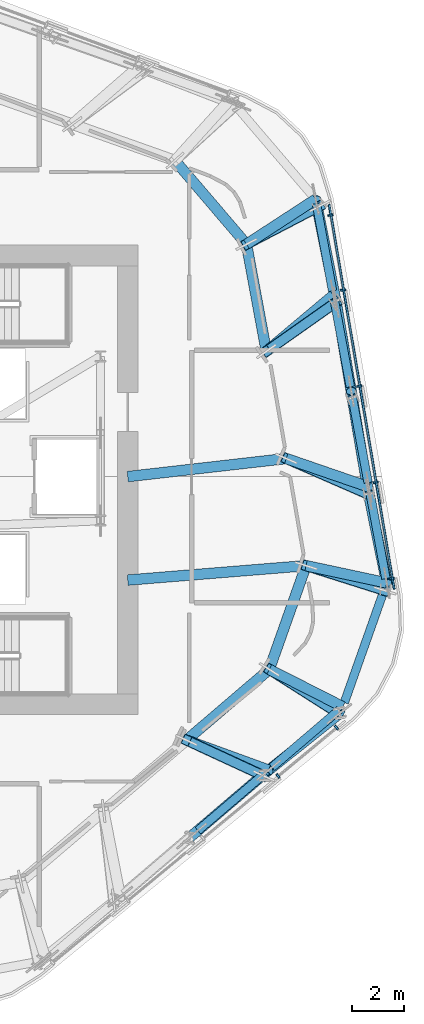
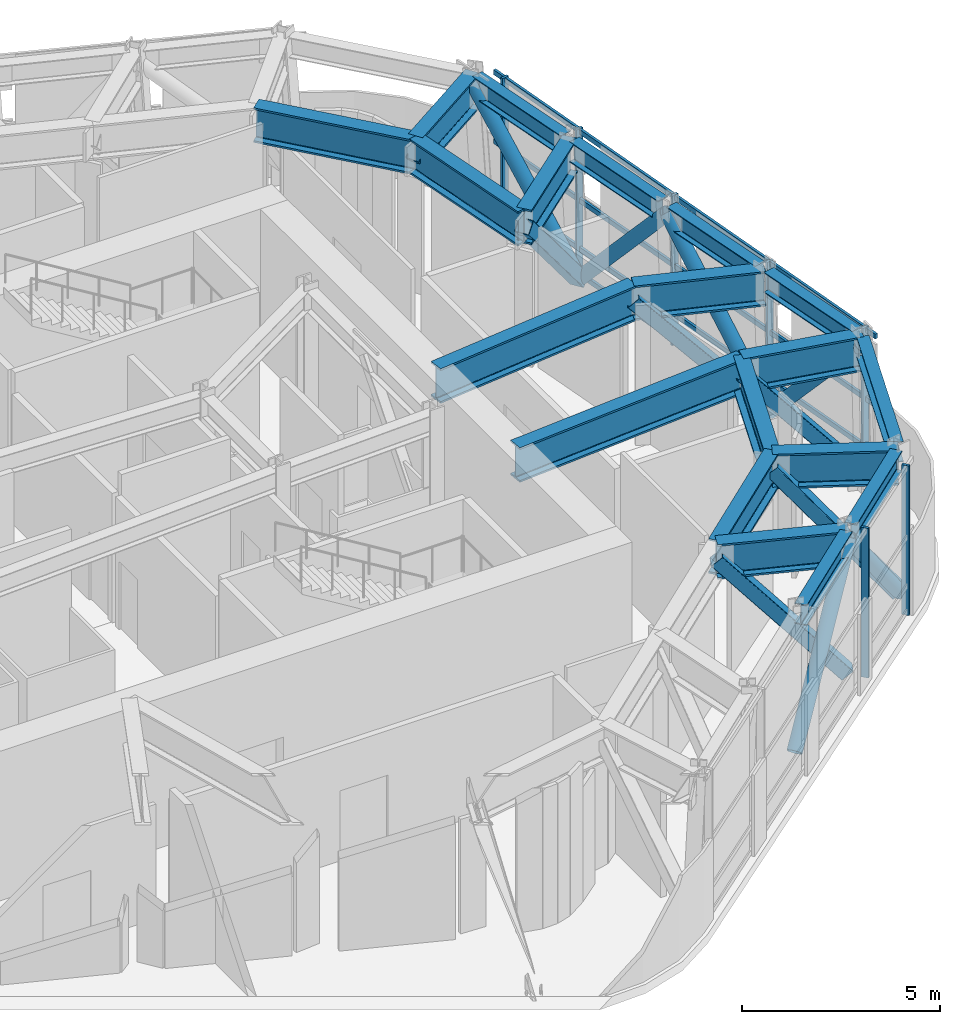
# One storey, part 5 of 16: 23 members, 19 beams, 2 elements without a shape of their own.
"""IFC4 building model written with IfcOpenShell, lengths in metres."""

from ifc_helpers import new_model, si_unit, direction, frame, origin, origin_2d, place, context, subcontext, project, spatial, rectangle, hollow_rectangle, hollow_circle, i_section, extrude, material, layer, layer_set, material_profile, profile_set, type_object, element, aggregate, save


model = new_model("IFC4")

# Units and contexts
model_context = context("Model", 3, precision=1e-05, world=origin(), true_north=direction((0.0, 1.0)))
body_context = subcontext(model_context, "Body", "Model", "MODEL_VIEW")
ifc_project = project(units=[si_unit("LENGTHUNIT", "METRE"), si_unit("AREAUNIT", "SQUARE_METRE"), si_unit("VOLUMEUNIT", "CUBIC_METRE"), si_unit("PLANEANGLEUNIT", "RADIAN"), si_unit("MASSUNIT", "GRAM", prefix="KILO")], contexts=[model_context])

# Site, building, storey
site_placement = place(None, origin())
site = spatial("IfcSite", under=ifc_project, at=site_placement, CompositionType="ELEMENT")
building_placement = place(site_placement, origin())
building = spatial("IfcBuilding", under=site, at=building_placement, Name="Valkerne Bourse Tower", CompositionType="ELEMENT")
storey_placement = place(building_placement, frame((0.0, 0.0, 193.199951171875)))
storey = spatial("IfcBuildingStorey", under=building, at=storey_placement, Name="L49", CompositionType="ELEMENT", Elevation=193.199951171875)

# Beams
ifc_material_1 = material(Name="Steel ASTM A992", Category="steel")
ifc_material_profile_1 = material_profile(ifc_material_1, i_section(OverallWidth=0.32763671875, OverallDepth=0.62744140625, WebThickness=0.0166015625, FlangeThickness=0.027587890625, FilletRadius=0.020263671875, at=origin_2d()), Name="W24X146")
ifc_profile_set_1 = profile_set([ifc_material_profile_1], Name="Steel ASTM A992")
beam_type_1 = type_object("IfcBeamType", Name="BM-W24X146", PredefinedType="SPANDREL", material=ifc_profile_set_1)
for number, where, z_axis, x_axis, name in (
    (1, (58.71240234375, 13.314208984375, 4.286376953125), (0.760395641243, 0.649460136405, 0.0), (-0.649460136405, 0.760395641243, 0.0), "L49 Hexagonal Spandrel Ring Beam 22"),
    (2, (61.579833984375, 15.76318359375, 4.286376953125), (0.760395641243, 0.649460136405, 0.0), (-0.649460136405, 0.760395641243, 0.0), "L49 Hexagonal Spandrel Ring Beam 23"),
):
    element("IfcBeam", number, at=place(storey_placement, frame(where, z_axis=z_axis, x_axis=x_axis)), inside=storey, type_object=beam_type_1, Name=name, PredefinedType="SPANDREL", context=body_context, shape_type="SweptSolid", body=[
        extrude(i_section(OverallWidth=0.32763671875, OverallDepth=0.62744140625, WebThickness=0.0166015625, FlangeThickness=0.027587890625, FilletRadius=0.020263671875, at=origin_2d()), origin(), (0.0, 0.0, 1.0), 3.430908203125),
    ])
beam_1_placement = place(storey_placement, frame((64.374755859375, 18.26220703125, 4.286376953125), z_axis=(0.333803284256, 0.942642757051, 0.0), x_axis=(-0.942642757051, 0.333803284256, 0.0)))
element("IfcBeam", 3, at=beam_1_placement, inside=storey, type_object=beam_type_1, Name="L49 Hexagonal Spandrel Ring Beam 24", PredefinedType="SPANDREL", context=body_context, shape_type="SweptSolid", body=[
    extrude(i_section(OverallWidth=0.32763671875, OverallDepth=0.62744140625, WebThickness=0.0166015625, FlangeThickness=0.027587890625, FilletRadius=0.020263671875, at=origin_2d()), origin(), (0.0, 0.0, 1.0), 4.740234375),
])
for number, where, z_axis, x_axis, name in (
    (4, (65.98291015625, 23.057861328125, 4.286376953125), (-0.182234498882, 0.983255097834, 0.0), (-0.983255097834, -0.182234498882, 0.0), "L49 Hexagonal Spandrel Ring Beam 25"),
    (5, (65.295654296875, 26.765625, 4.286376953125), (-0.182234498882, 0.983255097834, 0.0), (-0.983255097834, -0.182234498882, 0.0), "L49 Hexagonal Spandrel Ring Beam 26"),
    (6, (64.6083984375, 30.473388671875, 4.286376953125), (-0.182234498882, 0.983255097834, 0.0), (-0.983255097834, -0.182234498882, 0.0), "L49 Hexagonal Spandrel Ring Beam 27"),
):
    element("IfcBeam", number, at=place(storey_placement, frame(where, z_axis=z_axis, x_axis=x_axis)), inside=storey, type_object=beam_type_1, Name=name, PredefinedType="SPANDREL", context=body_context, shape_type="SweptSolid", body=[
        extrude(i_section(OverallWidth=0.32763671875, OverallDepth=0.62744140625, WebThickness=0.0166015625, FlangeThickness=0.027587890625, FilletRadius=0.020263671875, at=origin_2d()), origin(), (0.0, 0.0, 1.0), 3.430908203125),
    ])
beam_2_placement = place(storey_placement, frame((63.921142578125, 34.181396484375, 4.286376953125), z_axis=(-0.182247249983, 0.983252734486, 0.0), x_axis=(-0.983252734486, -0.182247249983, 0.0)))
element("IfcBeam", 7, at=beam_2_placement, inside=storey, type_object=beam_type_1, Name="L49 Hexagonal Spandrel Ring Beam 28", PredefinedType="SPANDREL", context=body_context, shape_type="SweptSolid", body=[
    extrude(i_section(OverallWidth=0.32763671875, OverallDepth=0.62744140625, WebThickness=0.0166015625, FlangeThickness=0.027587890625, FilletRadius=0.020263671875, at=origin_2d()), origin(), (0.0, 0.0, 1.0), 3.4306640625),
])
ifc_material_2 = material(Name="Steel ASTM A913 Grade 65", Category="steel")
ifc_material_profile_2 = material_profile(ifc_material_2, i_section(OverallWidth=0.408935546875, OverallDepth=1.06689453125, WebThickness=0.031005859375, FlangeThickness=0.055908203125, FilletRadius=0.030517578125, at=origin_2d()), Name="W40X397")
ifc_profile_set_2 = profile_set([ifc_material_profile_2], Name="Steel ASTM A913 Grade 65")
beam_type_2 = type_object("IfcBeamType", Name="BM-W40X397", PredefinedType="BEAM", material=ifc_profile_set_2)
beam_3_placement = place(storey_placement, frame((61.45068359375, 15.65283203125, 4.066650390625), z_axis=(-0.939612070222, 0.342241373146, 0.0), x_axis=(-0.342241373146, -0.939612070222, 0.0)))
element("IfcBeam", 8, at=beam_3_placement, inside=storey, type_object=beam_type_2, Name="L49 Radial Setback Transfer Girder Out 18", PredefinedType="BEAM", context=body_context, shape_type="SweptSolid", body=[
    extrude(i_section(OverallWidth=0.408935546875, OverallDepth=1.06689453125, WebThickness=0.031005859375, FlangeThickness=0.055908203125, FilletRadius=0.030517578125, at=origin_2d()), origin(), (0.0, 0.0, 1.0), 3.3828125),
])
beam_4_placement = place(storey_placement, frame((58.272216796875, 16.810546875, 4.066650390625), z_axis=(0.760425559445, 0.649425106184, 0.0), x_axis=(-0.649425106184, 0.760425559445, 0.0)))
element("IfcBeam", 9, at=beam_4_placement, inside=storey, type_object=beam_type_2, Name="L49 Setback Ring Transfer Girder 18", PredefinedType="BEAM", context=body_context, shape_type="SweptSolid", body=[
    extrude(i_section(OverallWidth=0.408935546875, OverallDepth=1.06689453125, WebThickness=0.031005859375, FlangeThickness=0.055908203125, FilletRadius=0.030517578125, at=origin_2d()), origin(), (0.0, 0.0, 1.0), 4.2119140625),
])
beam_5_placement = place(storey_placement, frame((64.318115234375, 18.101806640625, 4.066650390625), z_axis=(-0.891576414628, 0.452870287035, 0.0), x_axis=(-0.452870287035, -0.891576414628, 0.0)))
element("IfcBeam", 10, at=beam_5_placement, inside=storey, type_object=beam_type_2, Name="L49 Radial Setback Transfer Girder Out 19", PredefinedType="BEAM", context=body_context, shape_type="SweptSolid", body=[
    extrude(i_section(OverallWidth=0.408935546875, OverallDepth=1.06689453125, WebThickness=0.031005859375, FlangeThickness=0.055908203125, FilletRadius=0.030517578125, at=origin_2d()), origin(), (0.0, 0.0, 1.0), 3.188720703125),
])
beam_6_placement = place(storey_placement, frame((61.47509765625, 19.5458984375, 4.066650390625), z_axis=(0.333762185267, 0.942657309782, 0.0), x_axis=(-0.942657309782, 0.333762185267, 0.0)))
element("IfcBeam", 11, at=beam_6_placement, inside=storey, type_object=beam_type_2, Name="L49 Setback Ring Transfer Girder 19", PredefinedType="BEAM", context=body_context, shape_type="SweptSolid", body=[
    extrude(i_section(OverallWidth=0.408935546875, OverallDepth=1.06689453125, WebThickness=0.031005859375, FlangeThickness=0.055908203125, FilletRadius=0.030517578125, at=origin_2d()), origin(), (0.0, 0.0, 1.0), 4.255859375),
])
beam_7_placement = place(storey_placement, frame((66.013916015625, 22.890625, 4.066650390625), z_axis=(-0.977881889775, 0.209157858206, 0.0), x_axis=(-0.209157858206, -0.977881889775, 0.0)))
element("IfcBeam", 12, at=beam_7_placement, inside=storey, type_object=beam_type_2, Name="L49 Radial Setback Transfer Girder Out 20", PredefinedType="BEAM", context=body_context, shape_type="SweptSolid", body=[
    extrude(i_section(OverallWidth=0.408935546875, OverallDepth=1.06689453125, WebThickness=0.031005859375, FlangeThickness=0.055908203125, FilletRadius=0.030517578125, at=origin_2d()), origin(), (0.0, 0.0, 1.0), 3.18896484375),
])
beam_8_placement = place(storey_placement, frame((62.8955078125, 23.5576171875, 4.066650390625), z_axis=(-0.996746235419, -0.080603611447, 0.0), x_axis=(0.080603611447, -0.996746235419, 0.0)))
element("IfcBeam", 13, at=beam_8_placement, inside=storey, type_object=beam_type_2, Name="L49 Radial Setback Transfer Girder In 20", PredefinedType="BEAM", context=body_context, shape_type="SweptSolid", body=[
    extrude(i_section(OverallWidth=0.408935546875, OverallDepth=1.06689453125, WebThickness=0.031005859375, FlangeThickness=0.055908203125, FilletRadius=0.030517578125, at=origin_2d()), origin(), (0.0, 0.0, 1.0), 6.91796875),
])
beam_9_placement = place(storey_placement, frame((65.32666015625, 26.598388671875, 4.066650390625), z_axis=(-0.945593651432, 0.325350036686, 0.0), x_axis=(-0.325350036686, -0.945593651432, 0.0)))
element("IfcBeam", 14, at=beam_9_placement, inside=storey, type_object=beam_type_2, Name="L49 Radial Setback Transfer Girder Out 21", PredefinedType="BEAM", context=body_context, shape_type="SweptSolid", body=[
    extrude(i_section(OverallWidth=0.408935546875, OverallDepth=1.06689453125, WebThickness=0.031005859375, FlangeThickness=0.055908203125, FilletRadius=0.030517578125, at=origin_2d()), origin(), (0.0, 0.0, 1.0), 3.3828125),
])
beam_10_placement = place(storey_placement, frame((62.1279296875, 27.698974609375, 4.066650390625), z_axis=(-0.993557528333, -0.113328892574, 0.0), x_axis=(0.113328892574, -0.993557528333, 0.0)))
element("IfcBeam", 15, at=beam_10_placement, inside=storey, type_object=beam_type_2, Name="L49 Radial Setback Transfer Girder In 21", PredefinedType="BEAM", context=body_context, shape_type="SweptSolid", body=[
    extrude(i_section(OverallWidth=0.408935546875, OverallDepth=1.06689453125, WebThickness=0.031005859375, FlangeThickness=0.055908203125, FilletRadius=0.030517578125, at=origin_2d()), origin(), (0.0, 0.0, 1.0), 6.167724609375),
])
beam_11_placement = place(storey_placement, frame((63.9521484375, 34.01416015625, 4.066650390625), z_axis=(-0.766188103884, -0.642616362589, 0.0), x_axis=(0.642616362589, -0.766188103884, 0.0)))
element("IfcBeam", 16, at=beam_11_placement, inside=storey, type_object=beam_type_2, Name="L49 Radial Setback Transfer Girder Out 22", PredefinedType="BEAM", context=body_context, shape_type="SweptSolid", body=[
    extrude(i_section(OverallWidth=0.408935546875, OverallDepth=1.06689453125, WebThickness=0.031005859375, FlangeThickness=0.055908203125, FilletRadius=0.030517578125, at=origin_2d()), origin(), (0.0, 0.0, 1.0), 3.38232421875),
])
beam_12_placement = place(storey_placement, frame((61.360595703125, 31.840576171875, 4.066650390625), z_axis=(-0.182240780933, 0.983253933511, 0.0), x_axis=(-0.983253933511, -0.182240780933, 0.0)))
element("IfcBeam", 17, at=beam_12_placement, inside=storey, type_object=beam_type_2, Name="L49 Setback Ring Transfer Girder 22", PredefinedType="BEAM", context=body_context, shape_type="SweptSolid", body=[
    extrude(i_section(OverallWidth=0.408935546875, OverallDepth=1.06689453125, WebThickness=0.031005859375, FlangeThickness=0.055908203125, FilletRadius=0.030517578125, at=origin_2d()), origin(), (0.0, 0.0, 1.0), 4.2119140625),
])
beam_13_placement = place(storey_placement, frame((63.264892578125, 37.721923828125, 4.066650390625), z_axis=(-0.837974470449, -0.545709434475, 0.0), x_axis=(0.545709434475, -0.837974470449, 0.0)))
element("IfcBeam", 18, at=beam_13_placement, inside=storey, type_object=beam_type_2, Name="L49 Radial Setback Transfer Girder Out 23", PredefinedType="BEAM", context=body_context, shape_type="SweptSolid", body=[
    extrude(i_section(OverallWidth=0.408935546875, OverallDepth=1.06689453125, WebThickness=0.031005859375, FlangeThickness=0.055908203125, FilletRadius=0.030517578125, at=origin_2d()), origin(), (0.0, 0.0, 1.0), 3.1884765625),
])
beam_14_placement = place(storey_placement, frame((60.593017578125, 35.98193359375, 4.066650390625), z_axis=(-0.649453372677, 0.760401418146, 0.0), x_axis=(-0.760401418146, -0.649453372677, 0.0)))
element("IfcBeam", 19, at=beam_14_placement, inside=storey, type_object=beam_type_2, Name="L49 Setback Ring Transfer Girder 23", PredefinedType="BEAM", context=body_context, shape_type="SweptSolid", body=[
    extrude(i_section(OverallWidth=0.408935546875, OverallDepth=1.06689453125, WebThickness=0.031005859375, FlangeThickness=0.055908203125, FilletRadius=0.030517578125, at=origin_2d()), origin(), (0.0, 0.0, 1.0), 4.255859375),
])

# Curtain wall, members
ifc_material_3 = material(Name="Aluminium AA 6063-T6", Category="aluminium")
ifc_layer = layer(ifc_material_3, 0.25)
ifc_layer_set = layer_set([ifc_layer], Name="Aluminium AA 6063-T6")
curtain_wall_type = type_object("IfcCurtainWallType", Name="CW-06", PredefinedType="NOTDEFINED", material=ifc_layer_set)
curtain_wall_1_placement = place(storey_placement, origin())
curtain_wall_1 = element("IfcCurtainWall", 20, at=curtain_wall_1_placement, inside=storey, type_object=curtain_wall_type, Name="L49 Hexagonal Stick Curtain Wall Face 5", PredefinedType="NOTDEFINED")
ifc_material_profile_3 = material_profile(ifc_material_3, rectangle(XDim=0.074951171875, YDim=0.199951171875, at=origin_2d()), Name="CWM-75X200")
ifc_profile_set_3 = profile_set([ifc_material_profile_3], Name="Aluminium AA 6063-T6")
member_type_1 = type_object("IfcMemberType", Name="CW-MUL-220X75", PredefinedType="MULLION", material=ifc_profile_set_3)
member_1_placement = place(storey_placement, frame((61.810791015625, 15.429931640625, 0.0), z_axis=(0.0, 0.0, 1.0), x_axis=(0.770503001355, 0.637436369297, 0.0)))
member_1 = element("IfcMember", 21, at=member_1_placement, type_object=member_type_1, Name="CW-L49-F5 Jamb Mullion 03A", PredefinedType="MULLION", context=body_context, shape_type="SweptSolid", body=[
    extrude(rectangle(XDim=0.074951171875, YDim=0.199951171875, at=origin_2d()), origin(), (0.0, 0.0, 1.0), 4.60009765625),
])
member_2_placement = place(storey_placement, frame((64.069091796875, 17.298095703125, 0.0), z_axis=(0.0, 0.0, 1.0), x_axis=(0.770503001355, 0.637436369297, 0.0)))
member_2 = element("IfcMember", 22, at=member_2_placement, type_object=member_type_1, Name="CW-L49-F5 Jamb Mullion 03B", PredefinedType="MULLION", context=body_context, shape_type="SweptSolid", body=[
    extrude(rectangle(XDim=0.074951171875, YDim=0.199951171875, at=origin_2d()), origin(), (0.0, 0.0, 1.0), 4.60009765625),
])
aggregate(curtain_wall_1, [member_1, member_2])

curtain_wall_2_placement = place(storey_placement, origin())
curtain_wall_2 = element("IfcCurtainWall", 23, at=curtain_wall_2_placement, inside=storey, type_object=curtain_wall_type, Name="L49 Hexagonal Stick Curtain Wall Face 6", PredefinedType="NOTDEFINED")
member_3_placement = place(storey_placement, frame((66.212158203125, 23.06005859375, 0.0), z_axis=(0.0, 0.0, 1.0), x_axis=(-0.166772238259, 0.985995446514, 0.0)))
member_3 = element("IfcMember", 24, at=member_3_placement, type_object=member_type_1, Name="CW-L49-F6 Jamb Mullion 00A", PredefinedType="MULLION", context=body_context, shape_type="SweptSolid", body=[
    extrude(rectangle(XDim=0.074951171875, YDim=0.199951171875, at=origin_2d()), origin(), (0.0, 0.0, 1.0), 4.60009765625),
])
member_4_placement = place(storey_placement, frame((65.583251953125, 26.7783203125, 0.0), z_axis=(0.0, 0.0, 1.0), x_axis=(-0.166746457546, 0.985999806742, 0.0)))
member_4 = element("IfcMember", 25, at=member_4_placement, type_object=member_type_1, Name="CW-L49-F6 Jamb Mullion 01A", PredefinedType="MULLION", context=body_context, shape_type="SweptSolid", body=[
    extrude(rectangle(XDim=0.074951171875, YDim=0.199951171875, at=origin_2d()), origin(), (0.0, 0.0, 1.0), 4.60009765625),
])
member_5_placement = place(storey_placement, frame((64.954345703125, 30.49658203125, 0.0), z_axis=(0.0, 0.0, 1.0), x_axis=(-0.166772238259, 0.985995446514, 0.0)))
member_5 = element("IfcMember", 26, at=member_5_placement, type_object=member_type_1, Name="CW-L49-F6 Jamb Mullion 02A", PredefinedType="MULLION", context=body_context, shape_type="SweptSolid", body=[
    extrude(rectangle(XDim=0.074951171875, YDim=0.199951171875, at=origin_2d()), origin(), (0.0, 0.0, 1.0), 4.60009765625),
])
member_6_placement = place(storey_placement, frame((64.325439453125, 34.214599609375, 0.0), z_axis=(0.0, 0.0, 1.0), x_axis=(-0.166772238259, 0.985995446514, 0.0)))
member_6 = element("IfcMember", 27, at=member_6_placement, type_object=member_type_1, Name="CW-L49-F6 Jamb Mullion 03A", PredefinedType="MULLION", context=body_context, shape_type="SweptSolid", body=[
    extrude(rectangle(XDim=0.074951171875, YDim=0.199951171875, at=origin_2d()), origin(), (0.0, 0.0, 1.0), 4.60009765625),
])
member_7_placement = place(storey_placement, frame((63.836669921875, 37.104736328125, 0.0), z_axis=(0.0, 0.0, 1.0), x_axis=(-0.166772238259, 0.985995446514, 0.0)))
member_7 = element("IfcMember", 28, at=member_7_placement, type_object=member_type_1, Name="CW-L49-F6 Jamb Mullion 03B", PredefinedType="MULLION", context=body_context, shape_type="SweptSolid", body=[
    extrude(rectangle(XDim=0.074951171875, YDim=0.199951171875, at=origin_2d()), origin(), (0.0, 0.0, 1.0), 4.60009765625),
])
ifc_material_profile_4 = material_profile(ifc_material_3, rectangle(XDim=0.074951171875, YDim=0.14990234375, at=origin_2d()), Name="CWT-75X150")
ifc_profile_set_4 = profile_set([ifc_material_profile_4], Name="Aluminium AA 6063-T6")
member_type_2 = type_object("IfcMemberType", Name="CW-TRN-180X65", PredefinedType="USERDEFINED", material=ifc_profile_set_4)
member_8_placement = place(storey_placement, frame((66.302001953125, 22.6494140625, 0.1201171875), z_axis=(-0.166773819738, 0.98599517902, 0.0), x_axis=(-0.98599517902, -0.166773819738, 0.0)))
member_8 = element("IfcMember", 29, at=member_8_placement, type_object=member_type_2, Name="CW-L49-F6 Continuous Face Transom 1", ObjectType="TRANSOM", PredefinedType="USERDEFINED", context=body_context, shape_type="SweptSolid", body=[
    extrude(rectangle(XDim=0.074951171875, YDim=0.14990234375, at=origin_2d()), origin(), (0.0, 0.0, 1.0), 15.083984375),
])
member_9_placement = place(storey_placement, frame((66.302001953125, 22.6494140625, 0.900146484375), z_axis=(-0.166773819738, 0.98599517902, 0.0), x_axis=(-0.98599517902, -0.166773819738, 0.0)))
member_9 = element("IfcMember", 30, at=member_9_placement, type_object=member_type_2, Name="CW-L49-F6 Continuous Face Transom 2", ObjectType="TRANSOM", PredefinedType="USERDEFINED", context=body_context, shape_type="SweptSolid", body=[
    extrude(rectangle(XDim=0.074951171875, YDim=0.14990234375, at=origin_2d()), origin(), (0.0, 0.0, 1.0), 15.083984375),
])
member_10_placement = place(storey_placement, frame((66.302001953125, 22.6494140625, 2.400146484375), z_axis=(-0.166773819738, 0.98599517902, 0.0), x_axis=(-0.98599517902, -0.166773819738, 0.0)))
member_10 = element("IfcMember", 31, at=member_10_placement, type_object=member_type_2, Name="CW-L49-F6 Continuous Face Transom 3", ObjectType="TRANSOM", PredefinedType="USERDEFINED", context=body_context, shape_type="SweptSolid", body=[
    extrude(rectangle(XDim=0.074951171875, YDim=0.14990234375, at=origin_2d()), origin(), (0.0, 0.0, 1.0), 15.083984375),
])
member_11_placement = place(storey_placement, frame((66.302001953125, 22.6494140625, 4.52001953125), z_axis=(-0.166773819738, 0.98599517902, 0.0), x_axis=(-0.98599517902, -0.166773819738, 0.0)))
member_11 = element("IfcMember", 32, at=member_11_placement, type_object=member_type_2, Name="CW-L49-F6 Continuous Face Transom 4", ObjectType="TRANSOM", PredefinedType="USERDEFINED", context=body_context, shape_type="SweptSolid", body=[
    extrude(rectangle(XDim=0.074951171875, YDim=0.14990234375, at=origin_2d()), origin(), (0.0, 0.0, 1.0), 15.083984375),
])
aggregate(curtain_wall_2, [member_8, member_9, member_10, member_11, member_3, member_4, member_5, member_6, member_7])

# Members
ifc_material_4 = material(Name="Steel ASTM A500 Grade C", Category="steel")
ifc_material_profile_5 = material_profile(ifc_material_4, hollow_circle(Radius=0.203125, WallThickness=0.01416015625, at=origin_2d()), Name="CHS406X14.2")
ifc_profile_set_5 = profile_set([ifc_material_profile_5], Name="Steel ASTM A500 Grade C")
member_type_3 = type_object("IfcMemberType", Name="MBR-CHS406X14.2", PredefinedType="BRACE", material=ifc_profile_set_5)
member_12_placement = place(storey_placement, frame((58.364990234375, 13.0205078125, 0.35009765625), z_axis=(0.548400932355, 0.46782647778, 0.693105189766), x_axis=(-0.649005019177, 0.760784125151, 0.0)))
element("IfcMember", 33, at=member_12_placement, inside=storey, type_object=member_type_3, Name="L49 Perimeter Belt Truss Diagonal 22", PredefinedType="BRACE", context=body_context, shape_type="SweptSolid", body=[
    extrude(hollow_circle(Radius=0.203125, WallThickness=0.01416015625, at=origin_2d()), origin(), (0.0, 0.0, 1.0), 5.626708984375),
])
for number, where, z_axis, x_axis, name in (
    (34, (64.176025390625, 17.827880859375, 0.35009765625), (-0.520958236474, -0.415767887552, 0.745479429314), (0.623780984187, -0.781599183576, 0.0), "L49 Perimeter Belt Truss Diagonal 23"),
    (35, (65.318115234375, 26.3076171875, 0.35009765625), (0.133000649021, -0.65314985393, 0.74545697104), (0.979890746925, 0.199534769129, 0.0), "L49 Perimeter Belt Truss Diagonal 25"),
):
    element("IfcMember", number, at=place(storey_placement, frame(where, z_axis=z_axis, x_axis=x_axis)), inside=storey, type_object=member_type_3, Name=name, PredefinedType="BRACE", context=body_context, shape_type="SweptSolid", body=[
        extrude(hollow_circle(Radius=0.203125, WallThickness=0.01416015625, at=origin_2d()), origin(), (0.0, 0.0, 1.0), 5.2314453125),
    ])
member_13_placement = place(storey_placement, frame((65.318115234375, 26.3076171875, 0.35009765625), z_axis=(-0.120622562725, 0.710675163623, 0.693102452147), x_axis=(-0.985899870618, -0.16733632336, 0.0)))
element("IfcMember", 36, at=member_13_placement, inside=storey, type_object=member_type_3, Name="L49 Perimeter Belt Truss Diagonal 26", PredefinedType="BRACE", context=body_context, shape_type="SweptSolid", body=[
    extrude(hollow_circle(Radius=0.203125, WallThickness=0.01416015625, at=origin_2d()), origin(), (0.0, 0.0, 1.0), 5.626708984375),
])
member_14_placement = place(storey_placement, frame((64.060302734375, 33.743896484375, 0.35009765625), z_axis=(0.110710478695, -0.657168440147, 0.745568797082), x_axis=(0.986104698418, 0.166125024478, 0.0)))
element("IfcMember", 37, at=member_14_placement, inside=storey, type_object=member_type_3, Name="L49 Perimeter Belt Truss Diagonal 27", PredefinedType="BRACE", context=body_context, shape_type="SweptSolid", body=[
    extrude(hollow_circle(Radius=0.203125, WallThickness=0.01416015625, at=origin_2d()), origin(), (0.0, 0.0, 1.0), 5.230712890625),
])
member_15_placement = place(storey_placement, frame((64.060302734375, 33.743896484375, 0.35009765625), z_axis=(-0.141348204525, 0.706914562469, 0.693031374793), x_axis=(-0.98058993322, -0.196069841809, 0.0)))
element("IfcMember", 38, at=member_15_placement, inside=storey, type_object=member_type_3, Name="L49 Perimeter Belt Truss Diagonal 28", PredefinedType="BRACE", context=body_context, shape_type="SweptSolid", body=[
    extrude(hollow_circle(Radius=0.203125, WallThickness=0.01416015625, at=origin_2d()), origin(), (0.0, 0.0, 1.0), 5.627197265625),
])
ifc_material_profile_6 = material_profile(ifc_material_4, hollow_rectangle(XDim=0.39990234375, YDim=0.39990234375, WallThickness=0.01611328125, OuterFilletRadius=0.031982421875, at=origin_2d()), Name="HSS400X400X16")
ifc_profile_set_6 = profile_set([ifc_material_profile_6], Name="Steel ASTM A500 Grade C")
member_type_4 = type_object("IfcMemberType", Name="MBR-HSS400X400X16", PredefinedType="BRACE", material=ifc_profile_set_6)
member_16_placement = place(storey_placement, frame((61.2705078125, 15.424072265625, 0.35009765625), z_axis=(-0.602985917479, 0.27883372896, 0.747435438627), x_axis=(-0.41971890486, -0.907654141677, 0.0)))
element("IfcMember", 39, at=member_16_placement, inside=storey, type_object=member_type_4, Name="L49 Setback Outrigger Knee Strut 18", PredefinedType="BRACE", context=body_context, shape_type="SweptSolid", body=[
    extrude(hollow_rectangle(XDim=0.39990234375, YDim=0.39990234375, WallThickness=0.01611328125, OuterFilletRadius=0.031982421875, at=origin_2d()), origin(), (0.0, 0.0, 1.0), 4.972412109375),
])
member_17_placement = place(storey_placement, frame((64.176025390625, 17.827880859375, 0.35009765625), z_axis=(-0.550644031101, 0.350255992666, 0.757701716122), x_axis=(-0.53670768892, -0.843768248191, 0.0)))
element("IfcMember", 40, at=member_17_placement, inside=storey, type_object=member_type_4, Name="L49 Setback Outrigger Knee Strut 19", PredefinedType="BRACE", context=body_context, shape_type="SweptSolid", body=[
    extrude(hollow_rectangle(XDim=0.39990234375, YDim=0.39990234375, WallThickness=0.01611328125, OuterFilletRadius=0.031982421875, at=origin_2d()), origin(), (0.0, 0.0, 1.0), 4.905029296875),
])
member_18_placement = place(storey_placement, frame((65.947021484375, 22.58935546875, 0.35009765625), z_axis=(-0.622084215751, 0.197390671227, 0.757659654083), x_axis=(-0.302444972844, -0.953166847095, 0.0)))
element("IfcMember", 41, at=member_18_placement, inside=storey, type_object=member_type_4, Name="L49 Setback Outrigger Knee Strut 20", PredefinedType="BRACE", context=body_context, shape_type="SweptSolid", body=[
    extrude(hollow_rectangle(XDim=0.39990234375, YDim=0.39990234375, WallThickness=0.01611328125, OuterFilletRadius=0.031982421875, at=origin_2d()), origin(), (0.0, 0.0, 1.0), 4.9052734375),
])
member_19_placement = place(storey_placement, frame((65.318115234375, 26.3076171875, 0.35009765625), z_axis=(-0.626540032546, 0.273257185695, 0.729916500761), x_axis=(-0.399769810852, -0.916615567363, 0.0)))
element("IfcMember", 42, at=member_19_placement, inside=storey, type_object=member_type_4, Name="L49 Setback Outrigger Knee Strut 21", PredefinedType="BRACE", context=body_context, shape_type="SweptSolid", body=[
    extrude(hollow_rectangle(XDim=0.39990234375, YDim=0.39990234375, WallThickness=0.01611328125, OuterFilletRadius=0.031982421875, at=origin_2d()), origin(), (0.0, 0.0, 1.0), 5.091796875),
])
member_20_placement = place(storey_placement, frame((64.060302734375, 33.743896484375, 0.35009765625), z_axis=(-0.542948871233, -0.38278435523, 0.747450774713), x_axis=(0.576207204117, -0.817303650991, 0.0)))
element("IfcMember", 43, at=member_20_placement, inside=storey, type_object=member_type_4, Name="L49 Setback Outrigger Knee Strut 22", PredefinedType="BRACE", context=body_context, shape_type="SweptSolid", body=[
    extrude(hollow_rectangle(XDim=0.39990234375, YDim=0.39990234375, WallThickness=0.01611328125, OuterFilletRadius=0.031982421875, at=origin_2d()), origin(), (0.0, 0.0, 1.0), 4.972412109375),
])
member_21_placement = place(storey_placement, frame((63.431396484375, 37.462158203125, 0.35009765625), z_axis=(-0.578656103203, -0.301771198496, 0.757688100728), x_axis=(0.462401794182, -0.886670502914, 0.0)))
element("IfcMember", 44, at=member_21_placement, inside=storey, type_object=member_type_4, Name="L49 Setback Outrigger Knee Strut 23", PredefinedType="BRACE", context=body_context, shape_type="SweptSolid", body=[
    extrude(hollow_rectangle(XDim=0.39990234375, YDim=0.39990234375, WallThickness=0.01611328125, OuterFilletRadius=0.031982421875, at=origin_2d()), origin(), (0.0, 0.0, 1.0), 4.905029296875),
])

save(model, "model.ifc")
